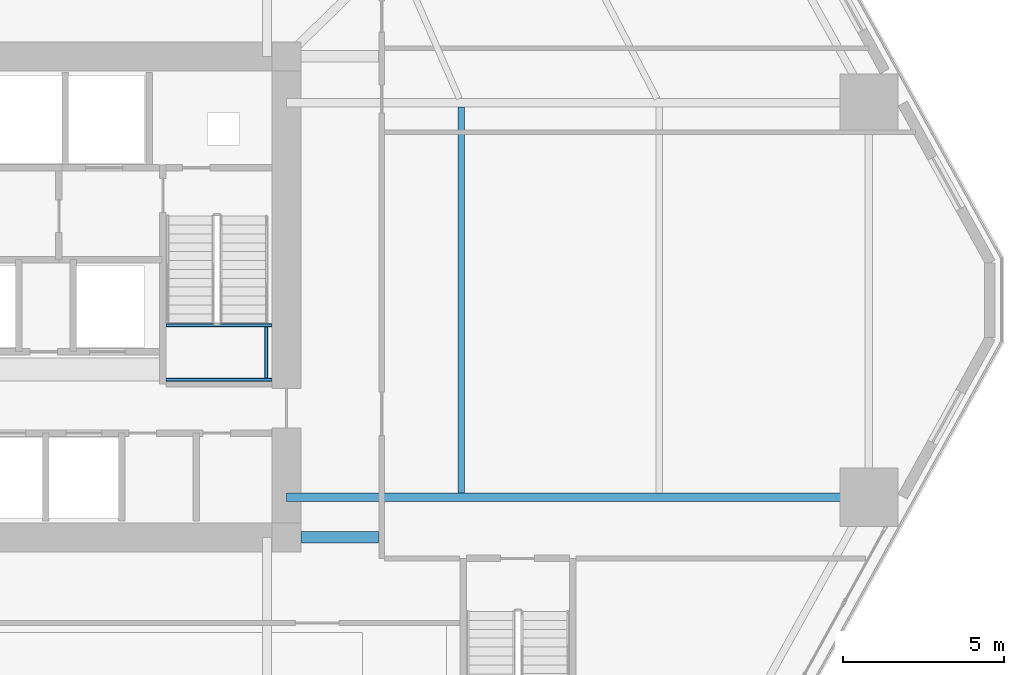
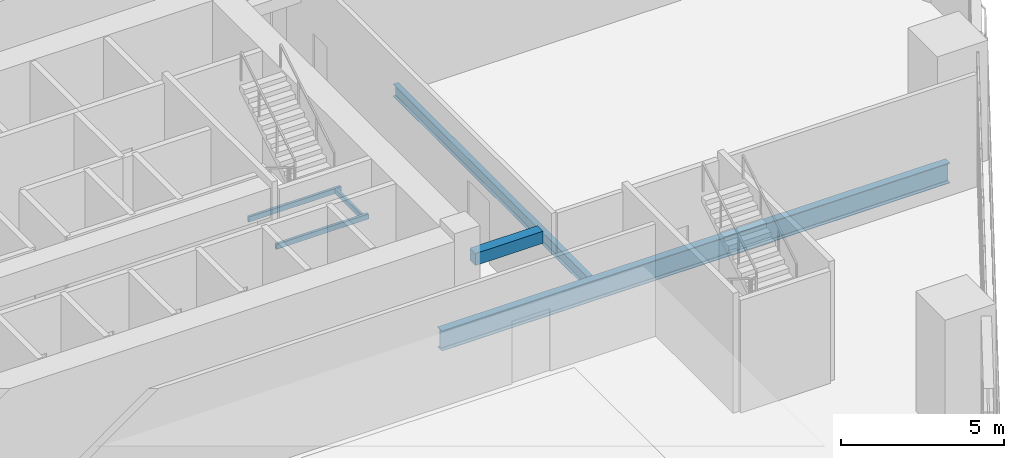
# One storey, part 3 of 18: 6 beams.
"""IFC4 building model written with IfcOpenShell, lengths in metres."""

from ifc_helpers import new_model, si_unit, direction, frame, origin, origin_2d, place, context, subcontext, project, spatial, rectangle, hollow_rectangle, i_section, extrude, material, material_profile, profile_set, type_object, element, save


model = new_model("IFC4")

# Units and contexts
model_context = context("Model", 3, precision=1e-05, world=origin(), true_north=direction((0.0, 1.0)))
body_context = subcontext(model_context, "Body", "Model", "MODEL_VIEW")
ifc_project = project(units=[si_unit("LENGTHUNIT", "METRE"), si_unit("AREAUNIT", "SQUARE_METRE"), si_unit("VOLUMEUNIT", "CUBIC_METRE"), si_unit("PLANEANGLEUNIT", "RADIAN"), si_unit("MASSUNIT", "GRAM", prefix="KILO")], contexts=[model_context])

# Site, building, storey
site_placement = place(None, origin())
site = spatial("IfcSite", under=ifc_project, at=site_placement, CompositionType="ELEMENT")
building_placement = place(site_placement, origin())
building = spatial("IfcBuilding", under=site, at=building_placement, Name="Cinnabar Lancet Tower", CompositionType="ELEMENT")
storey_placement = place(building_placement, frame((0.0, 0.0, 15.0)))
storey = spatial("IfcBuildingStorey", under=building, at=storey_placement, Name="L03", CompositionType="ELEMENT", Elevation=15.0)

# Beams
ifc_material_1 = material(Name="Structural steel S355", Category="steel")
ifc_material_profile_1 = material_profile(ifc_material_1, i_section(OverallWidth=0.1904296875, OverallDepth=0.45703125, WebThickness=0.009033203125, FlangeThickness=0.014404296875, FilletRadius=0.01025390625, at=origin_2d()), Name="UKB 457x191x74")
ifc_profile_set_1 = profile_set([ifc_material_profile_1], Name="Structural steel S355")
beam_type_1 = type_object("IfcBeamType", Name="STR-BM-JST-457", PredefinedType="JOIST", material=ifc_profile_set_1)
beam_1_placement = place(storey_placement, frame((47.261962890625, 19.824951171875, -0.47900390625), z_axis=(0.0, 1.0, 0.0), x_axis=(-1.0, 0.0, 0.0)))
element("IfcBeam", 1, at=beam_1_placement, inside=storey, type_object=beam_type_1, Name="L03 Secondary Floor Joist 2", PredefinedType="JOIST", context=body_context, shape_type="SweptSolid", body=[
    extrude(i_section(OverallWidth=0.1904296875, OverallDepth=0.45703125, WebThickness=0.009033203125, FlangeThickness=0.014404296875, FilletRadius=0.01025390625, at=origin_2d()), origin(), (0.0, 0.0, 1.0), 11.949951171875),
])
ifc_material_2 = material(Name="Structural steel S355", Category="steel")
ifc_material_profile_2 = material_profile(ifc_material_2, hollow_rectangle(XDim=0.10009765625, YDim=0.199951171875, WallThickness=0.008056640625, InnerFilletRadius=0.00390625, OuterFilletRadius=0.011962890625, at=origin_2d()), Name="RHS 200x100x8")
ifc_profile_set_2 = profile_set([ifc_material_profile_2], Name="Structural steel S355")
beam_type_2 = type_object("IfcBeamType", Name="STR-BM-LND-203", PredefinedType="BEAM", material=ifc_profile_set_2)
for number, where, z_axis, x_axis, name in (
    (2, (38.1201171875, 23.330078125, 1.949951171875), (1.0, 0.0, 0.0), (0.0, 1.0, 0.0), "L03 ST-2-L03 Landing Support Beam S"),
    (3, (38.1201171875, 25.02001953125, 1.949951171875), (1.0, 0.0, 0.0), (0.0, 1.0, 0.0), "L03 ST-2-L03 Landing Support Beam N"),
):
    element("IfcBeam", number, at=place(storey_placement, frame(where, z_axis=z_axis, x_axis=x_axis)), inside=storey, type_object=beam_type_2, Name=name, PredefinedType="BEAM", context=body_context, shape_type="SweptSolid", body=[
        extrude(hollow_rectangle(XDim=0.10009765625, YDim=0.199951171875, WallThickness=0.008056640625, InnerFilletRadius=0.00390625, OuterFilletRadius=0.011962890625, at=origin_2d()), origin(), (0.0, 0.0, 1.0), 3.27978515625),
    ])
beam_2_placement = place(storey_placement, frame((41.219970703125, 23.3798828125, 1.949951171875), z_axis=(0.0, 1.0, 0.0), x_axis=(-1.0, 0.0, 0.0)))
element("IfcBeam", 4, at=beam_2_placement, inside=storey, type_object=beam_type_2, Name="L03 ST-2-L03 Landing Side Trimmer Beam", PredefinedType="BEAM", context=body_context, shape_type="SweptSolid", body=[
    extrude(hollow_rectangle(XDim=0.10009765625, YDim=0.199951171875, WallThickness=0.008056640625, InnerFilletRadius=0.00390625, OuterFilletRadius=0.011962890625, at=origin_2d()), origin(), (0.0, 0.0, 1.0), 1.590087890625),
])
ifc_material_3 = material(Name="Concrete C45/55", Category="concrete")
ifc_material_profile_3 = material_profile(ifc_material_3, rectangle(XDim=0.35009765625, YDim=0.449951171875, at=origin_2d()), Name="RC-LNT 350x450")
ifc_profile_set_3 = profile_set([ifc_material_profile_3], Name="Concrete C45/55")
beam_type_3 = type_object("IfcBeamType", Name="STR-BM-LNT-450", PredefinedType="LINTEL", material=ifc_profile_set_3)
beam_3_placement = place(storey_placement, frame((42.300048828125, 18.449951171875, 3.050048828125), z_axis=(1.0, 0.0, 0.0), x_axis=(0.0, 1.0, 0.0)))
element("IfcBeam", 5, at=beam_3_placement, inside=storey, type_object=beam_type_3, Name="L03 Podium Gallery Arch Lintel SE", PredefinedType="LINTEL", context=body_context, shape_type="SweptSolid", body=[
    extrude(rectangle(XDim=0.35009765625, YDim=0.449951171875, at=origin_2d()), origin(), (0.0, 0.0, 1.0), 2.39990234375),
])
ifc_material_4 = material(Name="Structural steel S355", Category="steel")
ifc_material_profile_4 = material_profile(ifc_material_4, i_section(OverallWidth=0.2666015625, OverallDepth=0.76220703125, WebThickness=0.014404296875, FlangeThickness=0.021484375, FilletRadius=0.0166015625, at=origin_2d()), Name="UKB 762x267x173")
ifc_profile_set_4 = profile_set([ifc_material_profile_4], Name="Structural steel S355")
beam_type_4 = type_object("IfcBeamType", Name="STR-BM-UKB762-173", PredefinedType="BEAM", material=ifc_profile_set_4)
beam_4_placement = place(storey_placement, frame((59.89111328125, 19.69189453125, -0.631103515625), z_axis=(-1.0, 0.0, 0.0), x_axis=(0.0, -1.0, 0.0)))
element("IfcBeam", 6, at=beam_4_placement, inside=storey, type_object=beam_type_4, Name="L03 Primary Floor Girder 4", PredefinedType="BEAM", context=body_context, shape_type="SweptSolid", body=[
    extrude(i_section(OverallWidth=0.2666015625, OverallDepth=0.76220703125, WebThickness=0.014404296875, FlangeThickness=0.021484375, FilletRadius=0.0166015625, at=origin_2d()), origin(), (0.0, 0.0, 1.0), 18.041015625),
])

save(model, "model.ifc")
